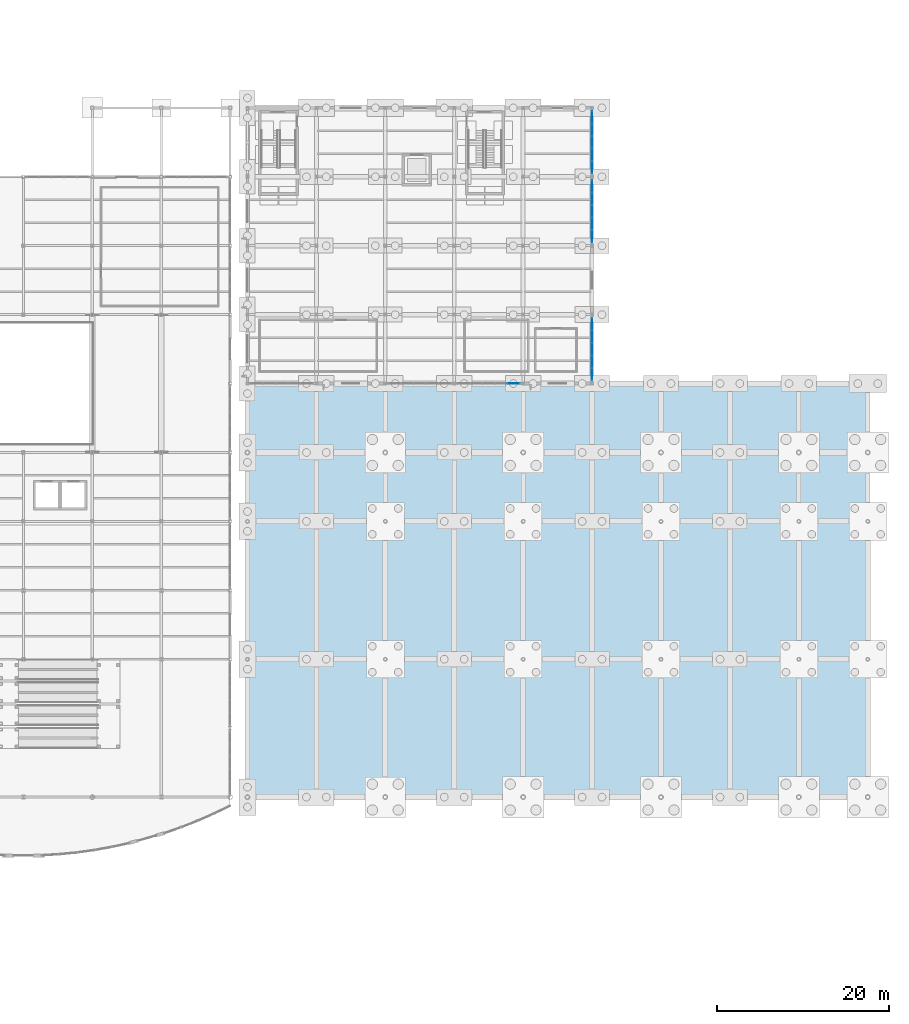
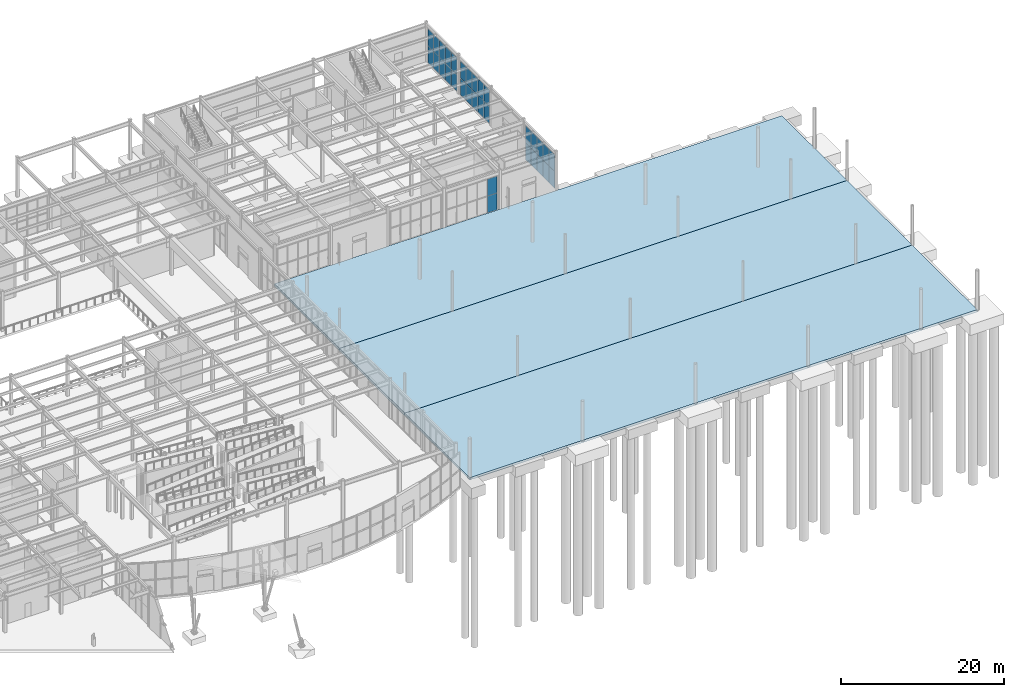
# One storey, part 55 of 82: 32 plates, 3 slabs, 4 elements without a shape of their own.
"""IFC4 building model written with IfcOpenShell, lengths in metres."""

from ifc_helpers import new_model, si_unit, direction, frame, origin, origin_2d, place, context, subcontext, project, spatial, polyline, rectangle, outline, extrude, material, layer, layer_set, type_object, element, aggregate, save


model = new_model("IFC4")

# Units and contexts
model_context = context("Model", 3, precision=1e-05, world=origin(), true_north=direction((0.0, 1.0)))
body_context = subcontext(model_context, "Body", "Model", "MODEL_VIEW")
ifc_project = project(units=[si_unit("LENGTHUNIT", "METRE"), si_unit("AREAUNIT", "SQUARE_METRE"), si_unit("VOLUMEUNIT", "CUBIC_METRE"), si_unit("PLANEANGLEUNIT", "RADIAN"), si_unit("MASSUNIT", "GRAM", prefix="KILO")], contexts=[model_context])

# Site, building, storey
site_placement = place(None, origin())
site = spatial("IfcSite", under=ifc_project, at=site_placement, CompositionType="ELEMENT")
building_placement = place(site_placement, origin())
building = spatial("IfcBuilding", under=site, at=building_placement, Name="Drelvath Fold Interchange", CompositionType="ELEMENT")
storey_placement = place(building_placement, origin())
storey = spatial("IfcBuildingStorey", under=building, at=storey_placement, Name="L00", CompositionType="ELEMENT", Elevation=0.0)

# Curtain wall, plates
ifc_material_1 = material(Name="Anodized Aluminium 6063-T6", Category="aluminium")
curtain_wall_type = type_object("IfcCurtainWallType", Name="CW-CYC-500", PredefinedType="USERDEFINED", material=ifc_material_1)
curtain_wall_1_placement = place(storey_placement, origin())
curtain_wall_1 = element("IfcCurtainWall", 1, at=curtain_wall_1_placement, inside=storey, type_object=curtain_wall_type, Name="Curtain wall CW-CYC-L00-S126", ObjectType="UNITISED CURTAIN WALL", PredefinedType="USERDEFINED")
ifc_material_2 = material(Name="Low-Iron Insulated Laminated Glass", Category="glass")
ifc_layer_1 = layer(ifc_material_2, 0.028076171875, Name="Low-Iron Insulated Laminated Glass")
ifc_layer_set_1 = layer_set([ifc_layer_1], Name="Low-Iron Insulated Laminated Glass")
plate_type = type_object("IfcPlateType", Name="CP-CYC-A", PredefinedType="CURTAIN_PANEL", material=ifc_layer_set_1)
plate_1_placement = place(storey_placement, frame((132.89208984375, 75.0, 0.03955078125), z_axis=(0.0, 0.0, 1.0), x_axis=(1.0, 0.0, 0.0)))
plate_1 = element("IfcPlate", 2, at=plate_1_placement, type_object=plate_type, Name="CW-CYC-L00-S126 glazed panel 4-0", PredefinedType="CURTAIN_PANEL", context=body_context, shape_type="SweptSolid", body=[
    extrude(rectangle(XDim=1.39599609375, YDim=0.028076171875, at=origin_2d()), origin(), (0.0, 0.0, 1.0), 2.52490234375),
])
plate_2_placement = place(storey_placement, frame((132.89208984375, 75.0, 2.58544921875), z_axis=(0.0, 0.0, 1.0), x_axis=(1.0, 0.0, 0.0)))
plate_2 = element("IfcPlate", 3, at=plate_2_placement, type_object=plate_type, Name="CW-CYC-L00-S126 glazed panel 4-1", PredefinedType="CURTAIN_PANEL", context=body_context, shape_type="SweptSolid", body=[
    extrude(rectangle(XDim=1.39599609375, YDim=0.028076171875, at=origin_2d()), origin(), (0.0, 0.0, 1.0), 2.52490234375),
])
aggregate(curtain_wall_1, [plate_1, plate_2])

curtain_wall_2_placement = place(storey_placement, origin())
curtain_wall_2 = element("IfcCurtainWall", 4, at=curtain_wall_2_placement, inside=storey, type_object=curtain_wall_type, Name="Curtain wall CW-CYC-L00-E75", ObjectType="UNITISED CURTAIN WALL", PredefinedType="USERDEFINED")
plate_3_placement = place(storey_placement, frame((142.0, 76.10791015625, 0.03955078125), z_axis=(0.0, 0.0, 1.0), x_axis=(0.0, 1.0, 0.0)))
plate_3 = element("IfcPlate", 5, at=plate_3_placement, type_object=plate_type, Name="CW-CYC-L00-E75 glazed panel 0-0", PredefinedType="CURTAIN_PANEL", context=body_context, shape_type="SweptSolid", body=[
    extrude(rectangle(XDim=1.39599609375, YDim=0.028076171875, at=origin_2d()), origin(), (0.0, 0.0, 1.0), 2.52490234375),
])
plate_4_placement = place(storey_placement, frame((142.0, 76.10791015625, 2.58544921875), z_axis=(0.0, 0.0, 1.0), x_axis=(0.0, 1.0, 0.0)))
plate_4 = element("IfcPlate", 6, at=plate_4_placement, type_object=plate_type, Name="CW-CYC-L00-E75 glazed panel 0-1", PredefinedType="CURTAIN_PANEL", context=body_context, shape_type="SweptSolid", body=[
    extrude(rectangle(XDim=1.39599609375, YDim=0.028076171875, at=origin_2d()), origin(), (0.0, 0.0, 1.0), 2.52490234375),
])
plate_5_placement = place(storey_placement, frame((142.0, 77.5439453125, 0.03955078125), z_axis=(0.0, 0.0, 1.0), x_axis=(0.0, 1.0, 0.0)))
plate_5 = element("IfcPlate", 7, at=plate_5_placement, type_object=plate_type, Name="CW-CYC-L00-E75 glazed panel 1-0", PredefinedType="CURTAIN_PANEL", context=body_context, shape_type="SweptSolid", body=[
    extrude(rectangle(XDim=1.43603515625, YDim=0.028076171875, at=origin_2d()), origin(), (0.0, 0.0, 1.0), 2.52490234375),
])
plate_6_placement = place(storey_placement, frame((142.0, 77.5439453125, 2.58544921875), z_axis=(0.0, 0.0, 1.0), x_axis=(0.0, 1.0, 0.0)))
plate_6 = element("IfcPlate", 8, at=plate_6_placement, type_object=plate_type, Name="CW-CYC-L00-E75 glazed panel 1-1", PredefinedType="CURTAIN_PANEL", context=body_context, shape_type="SweptSolid", body=[
    extrude(rectangle(XDim=1.43603515625, YDim=0.028076171875, at=origin_2d()), origin(), (0.0, 0.0, 1.0), 2.52490234375),
])
plate_7_placement = place(storey_placement, frame((142.0, 79.0, 0.03955078125), z_axis=(0.0, 0.0, 1.0), x_axis=(0.0, 1.0, 0.0)))
plate_7 = element("IfcPlate", 9, at=plate_7_placement, type_object=plate_type, Name="CW-CYC-L00-E75 glazed panel 2-0", PredefinedType="CURTAIN_PANEL", context=body_context, shape_type="SweptSolid", body=[
    extrude(rectangle(XDim=1.43603515625, YDim=0.028076171875, at=origin_2d()), origin(), (0.0, 0.0, 1.0), 2.52490234375),
])
plate_8_placement = place(storey_placement, frame((142.0, 79.0, 2.58544921875), z_axis=(0.0, 0.0, 1.0), x_axis=(0.0, 1.0, 0.0)))
plate_8 = element("IfcPlate", 10, at=plate_8_placement, type_object=plate_type, Name="CW-CYC-L00-E75 glazed panel 2-1", PredefinedType="CURTAIN_PANEL", context=body_context, shape_type="SweptSolid", body=[
    extrude(rectangle(XDim=1.43603515625, YDim=0.028076171875, at=origin_2d()), origin(), (0.0, 0.0, 1.0), 2.52490234375),
])
plate_9_placement = place(storey_placement, frame((142.0, 80.4560546875, 0.03955078125), z_axis=(0.0, 0.0, 1.0), x_axis=(0.0, 1.0, 0.0)))
plate_9 = element("IfcPlate", 11, at=plate_9_placement, type_object=plate_type, Name="CW-CYC-L00-E75 glazed panel 3-0", PredefinedType="CURTAIN_PANEL", context=body_context, shape_type="SweptSolid", body=[
    extrude(rectangle(XDim=1.43603515625, YDim=0.028076171875, at=origin_2d()), origin(), (0.0, 0.0, 1.0), 2.52490234375),
])
plate_10_placement = place(storey_placement, frame((142.0, 80.4560546875, 2.58544921875), z_axis=(0.0, 0.0, 1.0), x_axis=(0.0, 1.0, 0.0)))
plate_10 = element("IfcPlate", 12, at=plate_10_placement, type_object=plate_type, Name="CW-CYC-L00-E75 glazed panel 3-1", PredefinedType="CURTAIN_PANEL", context=body_context, shape_type="SweptSolid", body=[
    extrude(rectangle(XDim=1.43603515625, YDim=0.028076171875, at=origin_2d()), origin(), (0.0, 0.0, 1.0), 2.52490234375),
])
plate_11_placement = place(storey_placement, frame((142.0, 81.89208984375, 0.03955078125), z_axis=(0.0, 0.0, 1.0), x_axis=(0.0, 1.0, 0.0)))
plate_11 = element("IfcPlate", 13, at=plate_11_placement, type_object=plate_type, Name="CW-CYC-L00-E75 glazed panel 4-0", PredefinedType="CURTAIN_PANEL", context=body_context, shape_type="SweptSolid", body=[
    extrude(rectangle(XDim=1.39599609375, YDim=0.028076171875, at=origin_2d()), origin(), (0.0, 0.0, 1.0), 2.52490234375),
])
plate_12_placement = place(storey_placement, frame((142.0, 81.89208984375, 2.58544921875), z_axis=(0.0, 0.0, 1.0), x_axis=(0.0, 1.0, 0.0)))
plate_12 = element("IfcPlate", 14, at=plate_12_placement, type_object=plate_type, Name="CW-CYC-L00-E75 glazed panel 4-1", PredefinedType="CURTAIN_PANEL", context=body_context, shape_type="SweptSolid", body=[
    extrude(rectangle(XDim=1.39599609375, YDim=0.028076171875, at=origin_2d()), origin(), (0.0, 0.0, 1.0), 2.52490234375),
])
aggregate(curtain_wall_2, [plate_3, plate_4, plate_5, plate_6, plate_7, plate_8, plate_9, plate_10, plate_11, plate_12])

curtain_wall_3_placement = place(storey_placement, origin())
curtain_wall_3 = element("IfcCurtainWall", 15, at=curtain_wall_3_placement, inside=storey, type_object=curtain_wall_type, Name="Curtain wall CW-CYC-L00-E91", ObjectType="UNITISED CURTAIN WALL", PredefinedType="USERDEFINED")
plate_13_placement = place(storey_placement, frame((142.0, 92.10791015625, 0.03955078125), z_axis=(0.0, 0.0, 1.0), x_axis=(0.0, 1.0, 0.0)))
plate_13 = element("IfcPlate", 16, at=plate_13_placement, type_object=plate_type, Name="CW-CYC-L00-E91 glazed panel 0-0", PredefinedType="CURTAIN_PANEL", context=body_context, shape_type="SweptSolid", body=[
    extrude(rectangle(XDim=1.39599609375, YDim=0.028076171875, at=origin_2d()), origin(), (0.0, 0.0, 1.0), 2.52490234375),
])
plate_14_placement = place(storey_placement, frame((142.0, 92.10791015625, 2.58544921875), z_axis=(0.0, 0.0, 1.0), x_axis=(0.0, 1.0, 0.0)))
plate_14 = element("IfcPlate", 17, at=plate_14_placement, type_object=plate_type, Name="CW-CYC-L00-E91 glazed panel 0-1", PredefinedType="CURTAIN_PANEL", context=body_context, shape_type="SweptSolid", body=[
    extrude(rectangle(XDim=1.39599609375, YDim=0.028076171875, at=origin_2d()), origin(), (0.0, 0.0, 1.0), 2.52490234375),
])
plate_15_placement = place(storey_placement, frame((142.0, 93.5439453125, 0.03955078125), z_axis=(0.0, 0.0, 1.0), x_axis=(0.0, 1.0, 0.0)))
plate_15 = element("IfcPlate", 18, at=plate_15_placement, type_object=plate_type, Name="CW-CYC-L00-E91 glazed panel 1-0", PredefinedType="CURTAIN_PANEL", context=body_context, shape_type="SweptSolid", body=[
    extrude(rectangle(XDim=1.43603515625, YDim=0.028076171875, at=origin_2d()), origin(), (0.0, 0.0, 1.0), 2.52490234375),
])
plate_16_placement = place(storey_placement, frame((142.0, 93.5439453125, 2.58544921875), z_axis=(0.0, 0.0, 1.0), x_axis=(0.0, 1.0, 0.0)))
plate_16 = element("IfcPlate", 19, at=plate_16_placement, type_object=plate_type, Name="CW-CYC-L00-E91 glazed panel 1-1", PredefinedType="CURTAIN_PANEL", context=body_context, shape_type="SweptSolid", body=[
    extrude(rectangle(XDim=1.43603515625, YDim=0.028076171875, at=origin_2d()), origin(), (0.0, 0.0, 1.0), 2.52490234375),
])
plate_17_placement = place(storey_placement, frame((142.0, 95.0, 0.03955078125), z_axis=(0.0, 0.0, 1.0), x_axis=(0.0, 1.0, 0.0)))
plate_17 = element("IfcPlate", 20, at=plate_17_placement, type_object=plate_type, Name="CW-CYC-L00-E91 glazed panel 2-0", PredefinedType="CURTAIN_PANEL", context=body_context, shape_type="SweptSolid", body=[
    extrude(rectangle(XDim=1.43603515625, YDim=0.028076171875, at=origin_2d()), origin(), (0.0, 0.0, 1.0), 2.52490234375),
])
plate_18_placement = place(storey_placement, frame((142.0, 95.0, 2.58544921875), z_axis=(0.0, 0.0, 1.0), x_axis=(0.0, 1.0, 0.0)))
plate_18 = element("IfcPlate", 21, at=plate_18_placement, type_object=plate_type, Name="CW-CYC-L00-E91 glazed panel 2-1", PredefinedType="CURTAIN_PANEL", context=body_context, shape_type="SweptSolid", body=[
    extrude(rectangle(XDim=1.43603515625, YDim=0.028076171875, at=origin_2d()), origin(), (0.0, 0.0, 1.0), 2.52490234375),
])
plate_19_placement = place(storey_placement, frame((142.0, 96.4560546875, 0.03955078125), z_axis=(0.0, 0.0, 1.0), x_axis=(0.0, 1.0, 0.0)))
plate_19 = element("IfcPlate", 22, at=plate_19_placement, type_object=plate_type, Name="CW-CYC-L00-E91 glazed panel 3-0", PredefinedType="CURTAIN_PANEL", context=body_context, shape_type="SweptSolid", body=[
    extrude(rectangle(XDim=1.43603515625, YDim=0.028076171875, at=origin_2d()), origin(), (0.0, 0.0, 1.0), 2.52490234375),
])
plate_20_placement = place(storey_placement, frame((142.0, 96.4560546875, 2.58544921875), z_axis=(0.0, 0.0, 1.0), x_axis=(0.0, 1.0, 0.0)))
plate_20 = element("IfcPlate", 23, at=plate_20_placement, type_object=plate_type, Name="CW-CYC-L00-E91 glazed panel 3-1", PredefinedType="CURTAIN_PANEL", context=body_context, shape_type="SweptSolid", body=[
    extrude(rectangle(XDim=1.43603515625, YDim=0.028076171875, at=origin_2d()), origin(), (0.0, 0.0, 1.0), 2.52490234375),
])
plate_21_placement = place(storey_placement, frame((142.0, 97.89208984375, 0.03955078125), z_axis=(0.0, 0.0, 1.0), x_axis=(0.0, 1.0, 0.0)))
plate_21 = element("IfcPlate", 24, at=plate_21_placement, type_object=plate_type, Name="CW-CYC-L00-E91 glazed panel 4-0", PredefinedType="CURTAIN_PANEL", context=body_context, shape_type="SweptSolid", body=[
    extrude(rectangle(XDim=1.39599609375, YDim=0.028076171875, at=origin_2d()), origin(), (0.0, 0.0, 1.0), 2.52490234375),
])
plate_22_placement = place(storey_placement, frame((142.0, 97.89208984375, 2.58544921875), z_axis=(0.0, 0.0, 1.0), x_axis=(0.0, 1.0, 0.0)))
plate_22 = element("IfcPlate", 25, at=plate_22_placement, type_object=plate_type, Name="CW-CYC-L00-E91 glazed panel 4-1", PredefinedType="CURTAIN_PANEL", context=body_context, shape_type="SweptSolid", body=[
    extrude(rectangle(XDim=1.39599609375, YDim=0.028076171875, at=origin_2d()), origin(), (0.0, 0.0, 1.0), 2.52490234375),
])
aggregate(curtain_wall_3, [plate_13, plate_14, plate_15, plate_16, plate_17, plate_18, plate_19, plate_20, plate_21, plate_22])

curtain_wall_4_placement = place(storey_placement, origin())
curtain_wall_4 = element("IfcCurtainWall", 26, at=curtain_wall_4_placement, inside=storey, type_object=curtain_wall_type, Name="Curtain wall CW-CYC-L00-E99", ObjectType="UNITISED CURTAIN WALL", PredefinedType="USERDEFINED")
plate_23_placement = place(storey_placement, frame((142.0, 100.10791015625, 0.03955078125), z_axis=(0.0, 0.0, 1.0), x_axis=(0.0, 1.0, 0.0)))
plate_23 = element("IfcPlate", 27, at=plate_23_placement, type_object=plate_type, Name="CW-CYC-L00-E99 glazed panel 0-0", PredefinedType="CURTAIN_PANEL", context=body_context, shape_type="SweptSolid", body=[
    extrude(rectangle(XDim=1.39599609375, YDim=0.028076171875, at=origin_2d()), origin(), (0.0, 0.0, 1.0), 2.52490234375),
])
plate_24_placement = place(storey_placement, frame((142.0, 100.10791015625, 2.58544921875), z_axis=(0.0, 0.0, 1.0), x_axis=(0.0, 1.0, 0.0)))
plate_24 = element("IfcPlate", 28, at=plate_24_placement, type_object=plate_type, Name="CW-CYC-L00-E99 glazed panel 0-1", PredefinedType="CURTAIN_PANEL", context=body_context, shape_type="SweptSolid", body=[
    extrude(rectangle(XDim=1.39599609375, YDim=0.028076171875, at=origin_2d()), origin(), (0.0, 0.0, 1.0), 2.52490234375),
])
plate_25_placement = place(storey_placement, frame((142.0, 101.5439453125, 0.03955078125), z_axis=(0.0, 0.0, 1.0), x_axis=(0.0, 1.0, 0.0)))
plate_25 = element("IfcPlate", 29, at=plate_25_placement, type_object=plate_type, Name="CW-CYC-L00-E99 glazed panel 1-0", PredefinedType="CURTAIN_PANEL", context=body_context, shape_type="SweptSolid", body=[
    extrude(rectangle(XDim=1.43603515625, YDim=0.028076171875, at=origin_2d()), origin(), (0.0, 0.0, 1.0), 2.52490234375),
])
plate_26_placement = place(storey_placement, frame((142.0, 101.5439453125, 2.58544921875), z_axis=(0.0, 0.0, 1.0), x_axis=(0.0, 1.0, 0.0)))
plate_26 = element("IfcPlate", 30, at=plate_26_placement, type_object=plate_type, Name="CW-CYC-L00-E99 glazed panel 1-1", PredefinedType="CURTAIN_PANEL", context=body_context, shape_type="SweptSolid", body=[
    extrude(rectangle(XDim=1.43603515625, YDim=0.028076171875, at=origin_2d()), origin(), (0.0, 0.0, 1.0), 2.52490234375),
])
plate_27_placement = place(storey_placement, frame((142.0, 103.0, 0.03955078125), z_axis=(0.0, 0.0, 1.0), x_axis=(0.0, 1.0, 0.0)))
plate_27 = element("IfcPlate", 31, at=plate_27_placement, type_object=plate_type, Name="CW-CYC-L00-E99 glazed panel 2-0", PredefinedType="CURTAIN_PANEL", context=body_context, shape_type="SweptSolid", body=[
    extrude(rectangle(XDim=1.43603515625, YDim=0.028076171875, at=origin_2d()), origin(), (0.0, 0.0, 1.0), 2.52490234375),
])
plate_28_placement = place(storey_placement, frame((142.0, 103.0, 2.58544921875), z_axis=(0.0, 0.0, 1.0), x_axis=(0.0, 1.0, 0.0)))
plate_28 = element("IfcPlate", 32, at=plate_28_placement, type_object=plate_type, Name="CW-CYC-L00-E99 glazed panel 2-1", PredefinedType="CURTAIN_PANEL", context=body_context, shape_type="SweptSolid", body=[
    extrude(rectangle(XDim=1.43603515625, YDim=0.028076171875, at=origin_2d()), origin(), (0.0, 0.0, 1.0), 2.52490234375),
])
plate_29_placement = place(storey_placement, frame((142.0, 104.4560546875, 0.03955078125), z_axis=(0.0, 0.0, 1.0), x_axis=(0.0, 1.0, 0.0)))
plate_29 = element("IfcPlate", 33, at=plate_29_placement, type_object=plate_type, Name="CW-CYC-L00-E99 glazed panel 3-0", PredefinedType="CURTAIN_PANEL", context=body_context, shape_type="SweptSolid", body=[
    extrude(rectangle(XDim=1.43603515625, YDim=0.028076171875, at=origin_2d()), origin(), (0.0, 0.0, 1.0), 2.52490234375),
])
plate_30_placement = place(storey_placement, frame((142.0, 104.4560546875, 2.58544921875), z_axis=(0.0, 0.0, 1.0), x_axis=(0.0, 1.0, 0.0)))
plate_30 = element("IfcPlate", 34, at=plate_30_placement, type_object=plate_type, Name="CW-CYC-L00-E99 glazed panel 3-1", PredefinedType="CURTAIN_PANEL", context=body_context, shape_type="SweptSolid", body=[
    extrude(rectangle(XDim=1.43603515625, YDim=0.028076171875, at=origin_2d()), origin(), (0.0, 0.0, 1.0), 2.52490234375),
])
plate_31_placement = place(storey_placement, frame((142.0, 105.89208984375, 0.03955078125), z_axis=(0.0, 0.0, 1.0), x_axis=(0.0, 1.0, 0.0)))
plate_31 = element("IfcPlate", 35, at=plate_31_placement, type_object=plate_type, Name="CW-CYC-L00-E99 glazed panel 4-0", PredefinedType="CURTAIN_PANEL", context=body_context, shape_type="SweptSolid", body=[
    extrude(rectangle(XDim=1.39599609375, YDim=0.028076171875, at=origin_2d()), origin(), (0.0, 0.0, 1.0), 2.52490234375),
])
plate_32_placement = place(storey_placement, frame((142.0, 105.89208984375, 2.58544921875), z_axis=(0.0, 0.0, 1.0), x_axis=(0.0, 1.0, 0.0)))
plate_32 = element("IfcPlate", 36, at=plate_32_placement, type_object=plate_type, Name="CW-CYC-L00-E99 glazed panel 4-1", PredefinedType="CURTAIN_PANEL", context=body_context, shape_type="SweptSolid", body=[
    extrude(rectangle(XDim=1.39599609375, YDim=0.028076171875, at=origin_2d()), origin(), (0.0, 0.0, 1.0), 2.52490234375),
])
aggregate(curtain_wall_4, [plate_23, plate_24, plate_25, plate_26, plate_27, plate_28, plate_29, plate_30, plate_31, plate_32])

# Slabs
ifc_material_3 = material(Name="Concrete f'c 45 MPa (6500 psi)", Category="concrete")
ifc_layer_2 = layer(ifc_material_3, 0.340087890625, Name="Concrete f'c 45 MPa (6500 psi)")
ifc_layer_set_2 = layer_set([ifc_layer_2], Name="Concrete f'c 45 MPa (6500 psi)")
slab_type_1 = type_object("IfcSlabType", Name="FS-BUS", PredefinedType="FLOOR", material=ifc_layer_set_2)
slab_1_placement = place(storey_placement, frame((0.0, 0.0, -0.340087890625)))
element("IfcSlab", 37, at=slab_1_placement, inside=storey, type_object=slab_type_1, Name="L00 structural slab SL-L00-V4S", PredefinedType="FLOOR", context=body_context, shape_type="SweptSolid", body=[
    extrude(outline(polyline([(102.0, 27.0), (174.0, 27.0), (174.0, 43.0), (102.0, 43.0), (102.0, 27.0)])), origin(), (0.0, 0.0, 1.0), 0.340087890625),
])
slab_2_placement = place(storey_placement, frame((0.0, 0.0, -0.340087890625)))
element("IfcSlab", 38, at=slab_2_placement, inside=storey, type_object=slab_type_1, Name="L00 structural slab SL-L00-V4N", PredefinedType="FLOOR", context=body_context, shape_type="SweptSolid", body=[
    extrude(outline(polyline([(102.0, 59.0), (174.0, 59.0), (174.0, 75.0), (102.0, 75.0), (102.0, 59.0)])), origin(), (0.0, 0.0, 1.0), 0.340087890625),
])
ifc_layer_3 = layer(ifc_material_3, 0.39990234375, Name="Concrete f'c 45 MPa (6500 psi)")
ifc_layer_set_3 = layer_set([ifc_layer_3], Name="Concrete f'c 45 MPa (6500 psi)")
slab_type_2 = type_object("IfcSlabType", Name="FS-BUSR", PredefinedType="FLOOR", material=ifc_layer_set_3)
slab_3_placement = place(storey_placement, frame((0.0, 0.0, -0.39990234375)))
element("IfcSlab", 39, at=slab_3_placement, inside=storey, type_object=slab_type_2, Name="L00 structural slab SL-L00-V4M", PredefinedType="FLOOR", context=body_context, shape_type="SweptSolid", body=[
    extrude(outline(polyline([(102.0, 43.0), (174.0, 43.0), (174.0, 59.0), (102.0, 59.0), (102.0, 43.0)])), origin(), (0.0, 0.0, 1.0), 0.39990234375),
])

save(model, "model.ifc")
